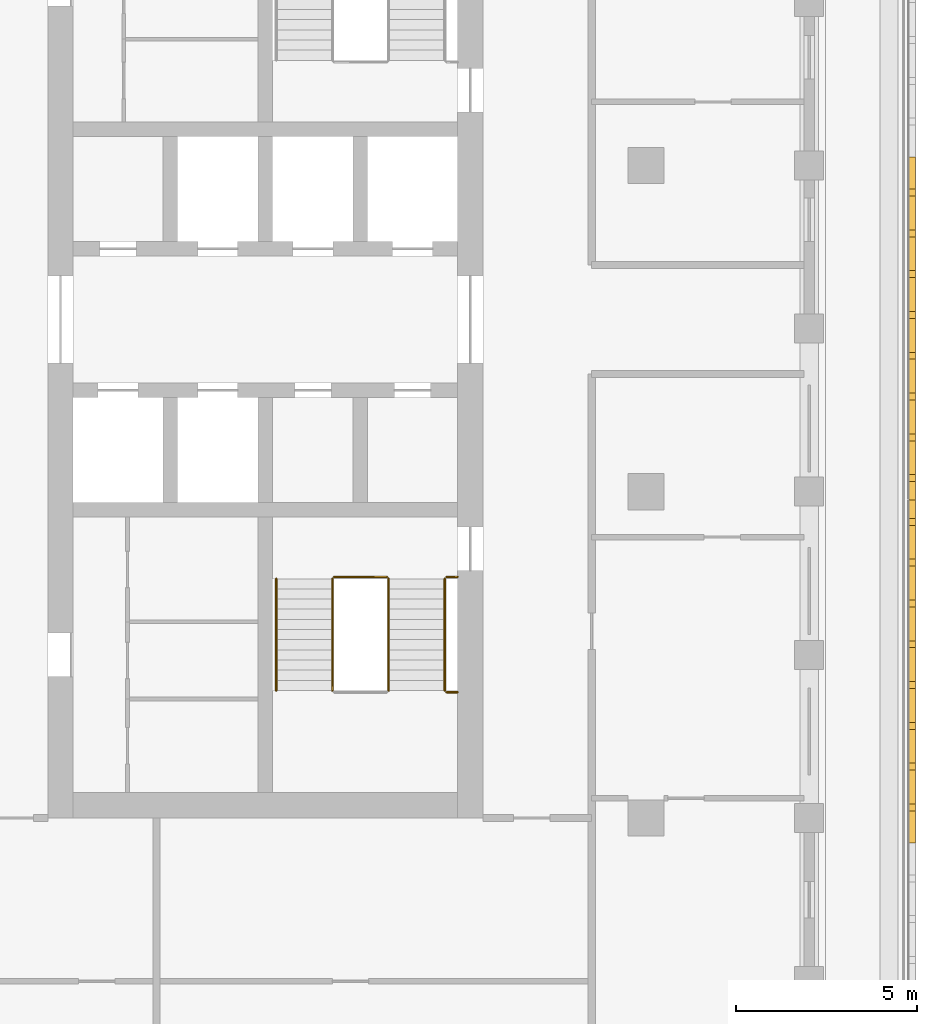
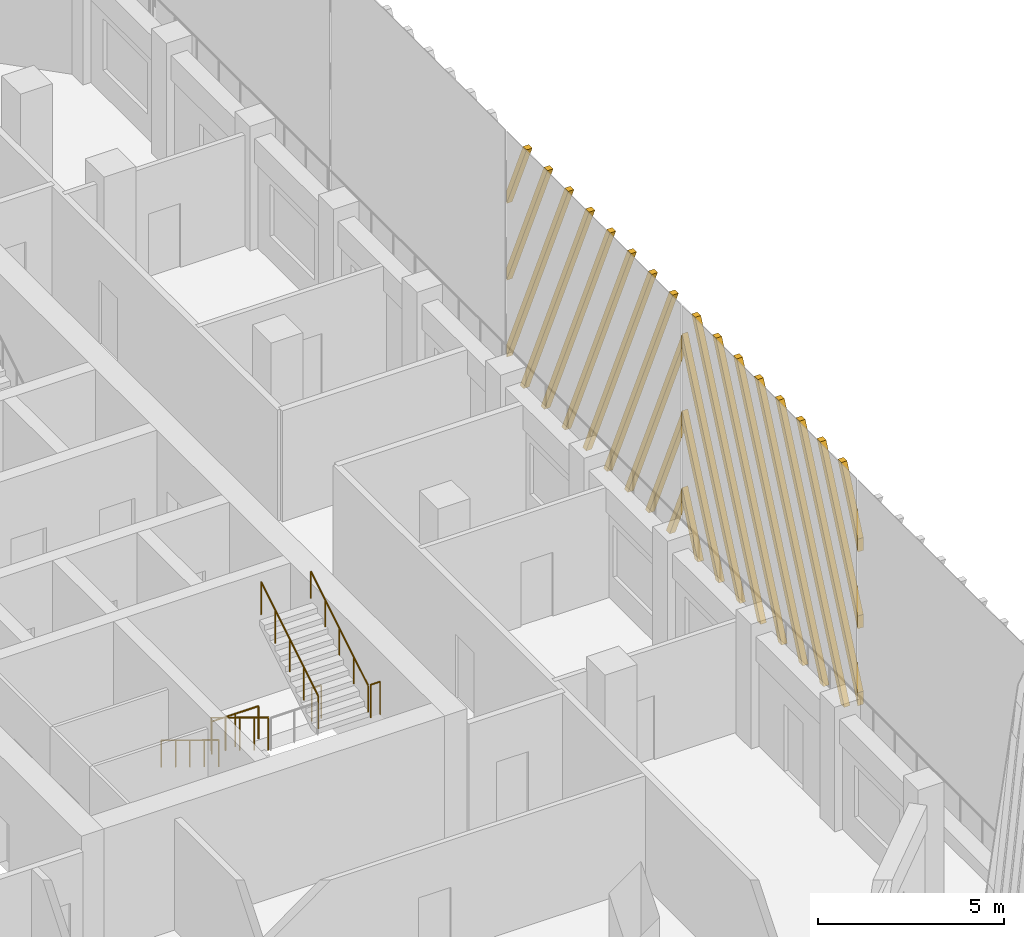
# One storey, part 12 of 17: 7 railings, 2 shading devices.
"""IFC4 building model written with IfcOpenShell, lengths in metres."""

from ifc_helpers import new_model, si_unit, direction, frame, origin, origin_2d, place, context, subcontext, project, spatial, polyline, circle, outline, extrude, source, transform, mapped, material, type_object, element, save


model = new_model("IFC4")

# Units and contexts
model_context = context("Model", 3, precision=1e-05, world=origin(), true_north=direction((0.0, 1.0)))
body_context = subcontext(model_context, "Body", "Model", "MODEL_VIEW")
ifc_project = project(units=[si_unit("LENGTHUNIT", "METRE"), si_unit("AREAUNIT", "SQUARE_METRE"), si_unit("VOLUMEUNIT", "CUBIC_METRE"), si_unit("PLANEANGLEUNIT", "RADIAN"), si_unit("MASSUNIT", "GRAM", prefix="KILO")], contexts=[model_context])

# Site, building, storey
site_placement = place(None, origin())
site = spatial("IfcSite", under=ifc_project, at=site_placement, CompositionType="ELEMENT")
building_placement = place(site_placement, origin())
building = spatial("IfcBuilding", under=site, at=building_placement, Name="Corbel Stack Research Tower", CompositionType="ELEMENT")
storey_placement = place(building_placement, frame((0.0, 0.0, 248.0)))
storey = spatial("IfcBuildingStorey", under=building, at=storey_placement, Name="L56", CompositionType="ELEMENT", Elevation=248.0)

# Railings
ifc_material_1 = material(Name="Steel S355", Category="steel")
railing_type_1 = type_object("IfcRailingType", Name="Stair guard 1100", PredefinedType="GUARDRAIL", material=ifc_material_1)
railing_1_placement = place(storey_placement, frame((13.85009765625, -2.39990234375, 0.1708984375)))
element("IfcRailing", 1, at=railing_1_placement, inside=storey, type_object=railing_type_1, Name="L56 ST-E1 stair guard 1", PredefinedType="GUARDRAIL", context=body_context, shape_type="SweptSolid", body=[
    extrude(circle(Radius=0.02392578125, at=origin_2d()), frame((0.0, 0.0, 1.076171875), z_axis=(0.0, -0.853666305674, 0.52082035152), x_axis=(1.0, 0.0, 0.0)), (0.0, 0.0, 1.0), 3.608154296875),
    extrude(circle(Radius=0.02099609375, at=origin_2d()), origin(), (0.0, 0.0, 1.0), 1.052001953125),
    extrude(circle(Radius=0.02099609375, at=origin_2d()), frame((0.0, -0.77001953125, 0.4697265625)), (0.0, 0.0, 1.0), 1.052001953125),
    extrude(circle(Radius=0.02099609375, at=origin_2d()), frame((0.0, -1.5400390625, 0.939453125)), (0.0, 0.0, 1.0), 1.052001953125),
    extrude(circle(Radius=0.02099609375, at=origin_2d()), frame((0.0, -2.31005859375, 1.409423828125)), (0.0, 0.0, 1.0), 1.052001953125),
    extrude(circle(Radius=0.02099609375, at=origin_2d()), frame((0.0, -3.080078125, 1.879150390625)), (0.0, 0.0, 1.0), 1.052001953125),
])
railing_2_placement = place(storey_placement, frame((17.0, -5.530029296875, 2.050048828125)))
element("IfcRailing", 2, at=railing_2_placement, inside=storey, type_object=railing_type_1, Name="L56 ST-E1 stair guard 3", PredefinedType="GUARDRAIL", context=body_context, shape_type="SweptSolid", body=[
    extrude(circle(Radius=0.02392578125, at=origin_2d()), frame((0.0, 0.0, 1.076171875), z_axis=(1.0, 0.0, 0.0), x_axis=(0.0, 1.0, 0.0)), (0.0, 0.0, 1.0), 0.300048828125),
    extrude(circle(Radius=0.02099609375, at=origin_2d()), origin(), (0.0, 0.0, 1.0), 1.052001953125),
    extrude(circle(Radius=0.02099609375, at=origin_2d()), frame((0.300048828125, 0.0, 0.0)), (0.0, 0.0, 1.0), 1.052001953125),
])
railing_3_placement = place(storey_placement, frame((15.39990234375, -5.47998046875, 2.220947265625)))
element("IfcRailing", 3, at=railing_3_placement, inside=storey, type_object=railing_type_1, Name="L56 ST-E1 stair guard 4", PredefinedType="GUARDRAIL", context=body_context, shape_type="SweptSolid", body=[
    extrude(circle(Radius=0.02392578125, at=origin_2d()), frame((0.0, 0.0, 1.076171875), z_axis=(0.0, 0.853666305674, 0.52082035152), x_axis=(-1.0, 0.0, 0.0)), (0.0, 0.0, 1.0), 3.608154296875),
    extrude(circle(Radius=0.02099609375, at=origin_2d()), origin(), (0.0, 0.0, 1.0), 1.052001953125),
    extrude(circle(Radius=0.02099609375, at=origin_2d()), frame((0.0, 0.77001953125, 0.4697265625)), (0.0, 0.0, 1.0), 1.052001953125),
    extrude(circle(Radius=0.02099609375, at=origin_2d()), frame((0.0, 1.5400390625, 0.939453125)), (0.0, 0.0, 1.0), 1.052001953125),
    extrude(circle(Radius=0.02099609375, at=origin_2d()), frame((0.0, 2.31005859375, 1.409423828125)), (0.0, 0.0, 1.0), 1.052001953125),
    extrude(circle(Radius=0.02099609375, at=origin_2d()), frame((0.0, 3.080078125, 1.879150390625)), (0.0, 0.0, 1.0), 1.052001953125),
])
railing_4_placement = place(storey_placement, frame((13.89990234375, -2.35009765625, 0.0)))
element("IfcRailing", 4, at=railing_4_placement, inside=storey, type_object=railing_type_1, Name="L56 ST-E1 stair guard 5", PredefinedType="GUARDRAIL", context=body_context, shape_type="SweptSolid", body=[
    extrude(circle(Radius=0.02392578125, at=origin_2d()), frame((0.0, 0.0, 1.076171875), z_axis=(1.0, 0.0, 0.0), x_axis=(0.0, 1.0, 0.0)), (0.0, 0.0, 1.0), 1.4501953125),
    extrude(circle(Radius=0.02099609375, at=origin_2d()), origin(), (0.0, 0.0, 1.0), 1.052001953125),
    extrude(circle(Radius=0.02099609375, at=origin_2d()), frame((0.72509765625, 0.0, 0.0)), (0.0, 0.0, 1.0), 1.052001953125),
    extrude(circle(Radius=0.02099609375, at=origin_2d()), frame((1.4501953125, 0.0, 0.0)), (0.0, 0.0, 1.0), 1.052001953125),
])
railing_5_placement = place(storey_placement, frame((17.0, -2.35009765625, 0.0)))
element("IfcRailing", 5, at=railing_5_placement, inside=storey, type_object=railing_type_1, Name="L56 ST-E1 stair guard 6", PredefinedType="GUARDRAIL", context=body_context, shape_type="SweptSolid", body=[
    extrude(circle(Radius=0.02392578125, at=origin_2d()), frame((0.0, 0.0, 1.076171875), z_axis=(1.0, 0.0, 0.0), x_axis=(0.0, 1.0, 0.0)), (0.0, 0.0, 1.0), 0.300048828125),
    extrude(circle(Radius=0.02099609375, at=origin_2d()), origin(), (0.0, 0.0, 1.0), 1.052001953125),
    extrude(circle(Radius=0.02099609375, at=origin_2d()), frame((0.300048828125, 0.0, 0.0)), (0.0, 0.0, 1.0), 1.052001953125),
])
ifc_material_2 = material(Name="Steel S355", Category="steel")
railing_type_2 = type_object("IfcRailingType", Name="Stair handrail 900", PredefinedType="HANDRAIL", material=ifc_material_2)
railing_6_placement = place(storey_placement, frame((12.300048828125, -2.39990234375, 0.1708984375)))
element("IfcRailing", 6, at=railing_6_placement, inside=storey, type_object=railing_type_2, Name="L56 ST-E1 stair handrail 1", PredefinedType="HANDRAIL", context=body_context, shape_type="SweptSolid", body=[
    extrude(circle(Radius=0.02392578125, at=origin_2d()), frame((0.0, 0.0, 0.8759765625), z_axis=(0.0, -0.853666305674, 0.52082035152), x_axis=(1.0, 0.0, 0.0)), (0.0, 0.0, 1.0), 3.608154296875),
    extrude(circle(Radius=0.02099609375, at=origin_2d()), origin(), (0.0, 0.0, 1.0), 0.851806640625),
    extrude(circle(Radius=0.02099609375, at=origin_2d()), frame((0.0, -0.77001953125, 0.4697265625)), (0.0, 0.0, 1.0), 0.851806640625),
    extrude(circle(Radius=0.02099609375, at=origin_2d()), frame((0.0, -1.5400390625, 0.939453125)), (0.0, 0.0, 1.0), 0.851806640625),
    extrude(circle(Radius=0.02099609375, at=origin_2d()), frame((0.0, -2.31005859375, 1.409423828125)), (0.0, 0.0, 1.0), 0.851806640625),
    extrude(circle(Radius=0.02099609375, at=origin_2d()), frame((0.0, -3.080078125, 1.879150390625)), (0.0, 0.0, 1.0), 0.851806640625),
])
railing_7_placement = place(storey_placement, frame((16.949951171875, -5.47998046875, 2.220947265625)))
element("IfcRailing", 7, at=railing_7_placement, inside=storey, type_object=railing_type_2, Name="L56 ST-E1 stair handrail 2", PredefinedType="HANDRAIL", context=body_context, shape_type="SweptSolid", body=[
    extrude(circle(Radius=0.02392578125, at=origin_2d()), frame((0.0, 0.0, 0.8759765625), z_axis=(0.0, 0.853666305674, 0.52082035152), x_axis=(-1.0, 0.0, 0.0)), (0.0, 0.0, 1.0), 3.608154296875),
    extrude(circle(Radius=0.02099609375, at=origin_2d()), origin(), (0.0, 0.0, 1.0), 0.851806640625),
    extrude(circle(Radius=0.02099609375, at=origin_2d()), frame((0.0, 0.77001953125, 0.4697265625)), (0.0, 0.0, 1.0), 0.851806640625),
    extrude(circle(Radius=0.02099609375, at=origin_2d()), frame((0.0, 1.5400390625, 0.939453125)), (0.0, 0.0, 1.0), 0.851806640625),
    extrude(circle(Radius=0.02099609375, at=origin_2d()), frame((0.0, 2.31005859375, 1.409423828125)), (0.0, 0.0, 1.0), 0.851806640625),
    extrude(circle(Radius=0.02099609375, at=origin_2d()), frame((0.0, 3.080078125, 1.879150390625)), (0.0, 0.0, 1.0), 0.851806640625),
])

# Shading devices
ifc_material_3 = material(Name="Precast terracotta", Category="masonry")
shading_device_type = type_object("IfcShadingDeviceType", Name="Terracotta screen panel", PredefinedType="USERDEFINED", material=ifc_material_3)
shared_shape_1 = source(origin(), body_context, "Body", "SweptSolid", [
    extrude(outline(polyline([(0.862060546875, 0.0), (0.0, 1.936279296875), (0.0, 1.509521484375), (0.672119140625, 0.0), (0.862060546875, 0.0)])), frame((0.0, 0.0, 0.0), z_axis=(0.0, -1.0, 0.0), x_axis=(1.0, 0.0, 0.0)), (0.0, 0.0, 1.0), 0.179931640625),
    extrude(outline(polyline([(1.987060546875, 0.0), (0.0, 4.463134765625), (0.0, 4.036376953125), (1.797119140625, 0.0), (1.987060546875, 0.0)])), frame((0.0, 0.0, 0.0), z_axis=(0.0, -1.0, 0.0), x_axis=(1.0, 0.0, 0.0)), (0.0, 0.0, 1.0), 0.179931640625),
    extrude(outline(polyline([(3.112060546875, 0.0), (0.0, 6.989990234375), (0.0, 6.563232421875), (2.922119140625, 0.0), (3.112060546875, 0.0)])), frame((0.0, 0.0, 0.0), z_axis=(0.0, -1.0, 0.0), x_axis=(1.0, 0.0, 0.0)), (0.0, 0.0, 1.0), 0.179931640625),
    extrude(outline(polyline([(4.237060546875, 0.0), (0.697509765625, 7.949951171875), (0.507568359375, 7.949951171875), (4.047119140625, 0.0), (4.237060546875, 0.0)])), frame((0.0, 0.0, 0.0), z_axis=(0.0, -1.0, 0.0), x_axis=(1.0, 0.0, 0.0)), (0.0, 0.0, 1.0), 0.179931640625),
    extrude(outline(polyline([(5.362060546875, 0.0), (1.822509765625, 7.949951171875), (1.632568359375, 7.949951171875), (5.172119140625, 0.0), (5.362060546875, 0.0)])), frame((0.0, 0.0, 0.0), z_axis=(0.0, -1.0, 0.0), x_axis=(1.0, 0.0, 0.0)), (0.0, 0.0, 1.0), 0.179931640625),
    extrude(outline(polyline([(6.487060546875, 0.0), (2.947509765625, 7.949951171875), (2.757568359375, 7.949951171875), (6.297119140625, 0.0), (6.487060546875, 0.0)])), frame((0.0, 0.0, 0.0), z_axis=(0.0, -1.0, 0.0), x_axis=(1.0, 0.0, 0.0)), (0.0, 0.0, 1.0), 0.179931640625),
    extrude(outline(polyline([(7.612060546875, 0.0), (4.072509765625, 7.949951171875), (3.882568359375, 7.949951171875), (7.422119140625, 0.0), (7.612060546875, 0.0)])), frame((0.0, 0.0, 0.0), z_axis=(0.0, -1.0, 0.0), x_axis=(1.0, 0.0, 0.0)), (0.0, 0.0, 1.0), 0.179931640625),
    extrude(outline(polyline([(8.737060546875, 0.0), (5.197509765625, 7.949951171875), (5.007568359375, 7.949951171875), (8.547119140625, 0.0), (8.737060546875, 0.0)])), frame((0.0, 0.0, 0.0), z_axis=(0.0, -1.0, 0.0), x_axis=(1.0, 0.0, 0.0)), (0.0, 0.0, 1.0), 0.179931640625),
    extrude(outline(polyline([(6.322509765625, 7.949951171875), (6.132568359375, 7.949951171875), (9.45556640625, 0.486328125), (9.45556640625, 0.9130859375), (6.322509765625, 7.949951171875)])), frame((0.0, 0.0, 0.0), z_axis=(0.0, -1.0, 0.0), x_axis=(1.0, 0.0, 0.0)), (0.0, 0.0, 1.0), 0.179931640625),
    extrude(outline(polyline([(7.447509765625, 7.949951171875), (7.257568359375, 7.949951171875), (9.45556640625, 3.01318359375), (9.45556640625, 3.439697265625), (7.447509765625, 7.949951171875)])), frame((0.0, 0.0, 0.0), z_axis=(0.0, -1.0, 0.0), x_axis=(1.0, 0.0, 0.0)), (0.0, 0.0, 1.0), 0.179931640625),
    extrude(outline(polyline([(8.572509765625, 7.949951171875), (8.382568359375, 7.949951171875), (9.45556640625, 5.539794921875), (9.45556640625, 5.966552734375), (8.572509765625, 7.949951171875)])), frame((0.0, 0.0, 0.0), z_axis=(0.0, -1.0, 0.0), x_axis=(1.0, 0.0, 0.0)), (0.0, 0.0, 1.0), 0.179931640625),
])
shading_device_1_placement = place(storey_placement, frame((29.75, -0.227783203125, 0.0), z_axis=(0.0, 0.0, 1.0), x_axis=(0.0, 1.0, 0.0)))
element("IfcShadingDevice", 8, at=shading_device_1_placement, inside=storey, type_object=shading_device_type, Name="Terracotta screen L56 E3", ObjectType="SCREEN", PredefinedType="USERDEFINED", context=body_context, shape_type="MappedRepresentation", body=[
    mapped(shared_shape_1, transform((0.0, 0.0, 0.0))),
])
shared_shape_2 = source(origin(), body_context, "Body", "SweptSolid", [
    extrude(outline(polyline([(1.072998046875, 7.949951171875), (0.883056640625, 7.949951171875), (0.0, 5.966552734375), (0.0, 5.539794921875), (1.072998046875, 7.949951171875)])), frame((0.0, 0.0, 0.0), z_axis=(0.0, -1.0, 0.0), x_axis=(1.0, 0.0, 0.0)), (0.0, 0.0, 1.0), 0.179931640625),
    extrude(outline(polyline([(2.197998046875, 7.949951171875), (2.008056640625, 7.949951171875), (0.0, 3.439697265625), (0.0, 3.01318359375), (2.197998046875, 7.949951171875)])), frame((0.0, 0.0, 0.0), z_axis=(0.0, -1.0, 0.0), x_axis=(1.0, 0.0, 0.0)), (0.0, 0.0, 1.0), 0.179931640625),
    extrude(outline(polyline([(3.322998046875, 7.949951171875), (3.133056640625, 7.949951171875), (0.0, 0.9130859375), (0.0, 0.486328125), (3.322998046875, 7.949951171875)])), frame((0.0, 0.0, 0.0), z_axis=(0.0, -1.0, 0.0), x_axis=(1.0, 0.0, 0.0)), (0.0, 0.0, 1.0), 0.179931640625),
    extrude(outline(polyline([(0.908447265625, 0.0), (4.447998046875, 7.949951171875), (4.258056640625, 7.949951171875), (0.718505859375, 0.0), (0.908447265625, 0.0)])), frame((0.0, 0.0, 0.0), z_axis=(0.0, -1.0, 0.0), x_axis=(1.0, 0.0, 0.0)), (0.0, 0.0, 1.0), 0.179931640625),
    extrude(outline(polyline([(2.033447265625, 0.0), (5.572998046875, 7.949951171875), (5.383056640625, 7.949951171875), (1.843505859375, 0.0), (2.033447265625, 0.0)])), frame((0.0, 0.0, 0.0), z_axis=(0.0, -1.0, 0.0), x_axis=(1.0, 0.0, 0.0)), (0.0, 0.0, 1.0), 0.179931640625),
    extrude(outline(polyline([(3.158447265625, 0.0), (6.697998046875, 7.949951171875), (6.508056640625, 7.949951171875), (2.968505859375, 0.0), (3.158447265625, 0.0)])), frame((0.0, 0.0, 0.0), z_axis=(0.0, -1.0, 0.0), x_axis=(1.0, 0.0, 0.0)), (0.0, 0.0, 1.0), 0.179931640625),
    extrude(outline(polyline([(4.283447265625, 0.0), (7.822998046875, 7.949951171875), (7.633056640625, 7.949951171875), (4.093505859375, 0.0), (4.283447265625, 0.0)])), frame((0.0, 0.0, 0.0), z_axis=(0.0, -1.0, 0.0), x_axis=(1.0, 0.0, 0.0)), (0.0, 0.0, 1.0), 0.179931640625),
    extrude(outline(polyline([(5.408447265625, 0.0), (8.947998046875, 7.949951171875), (8.758056640625, 7.949951171875), (5.218505859375, 0.0), (5.408447265625, 0.0)])), frame((0.0, 0.0, 0.0), z_axis=(0.0, -1.0, 0.0), x_axis=(1.0, 0.0, 0.0)), (0.0, 0.0, 1.0), 0.179931640625),
    extrude(outline(polyline([(6.533447265625, 0.0), (9.45556640625, 6.563232421875), (9.45556640625, 6.989990234375), (6.343505859375, 0.0), (6.533447265625, 0.0)])), frame((0.0, 0.0, 0.0), z_axis=(0.0, -1.0, 0.0), x_axis=(1.0, 0.0, 0.0)), (0.0, 0.0, 1.0), 0.179931640625),
    extrude(outline(polyline([(7.658447265625, 0.0), (9.45556640625, 4.036376953125), (9.45556640625, 4.463134765625), (7.468505859375, 0.0), (7.658447265625, 0.0)])), frame((0.0, 0.0, 0.0), z_axis=(0.0, -1.0, 0.0), x_axis=(1.0, 0.0, 0.0)), (0.0, 0.0, 1.0), 0.179931640625),
    extrude(outline(polyline([(8.783447265625, 0.0), (9.45556640625, 1.509521484375), (9.45556640625, 1.936279296875), (8.593505859375, 0.0), (8.783447265625, 0.0)])), frame((0.0, 0.0, 0.0), z_axis=(0.0, -1.0, 0.0), x_axis=(1.0, 0.0, 0.0)), (0.0, 0.0, 1.0), 0.179931640625),
])
shading_device_2_placement = place(storey_placement, frame((29.75, -9.68359375, 0.0), z_axis=(0.0, 0.0, 1.0), x_axis=(0.0, 1.0, 0.0)))
element("IfcShadingDevice", 9, at=shading_device_2_placement, inside=storey, type_object=shading_device_type, Name="Terracotta screen L56 E2", ObjectType="SCREEN", PredefinedType="USERDEFINED", context=body_context, shape_type="MappedRepresentation", body=[
    mapped(shared_shape_2, transform((0.0, 0.0, 0.0))),
])

save(model, "model.ifc")
